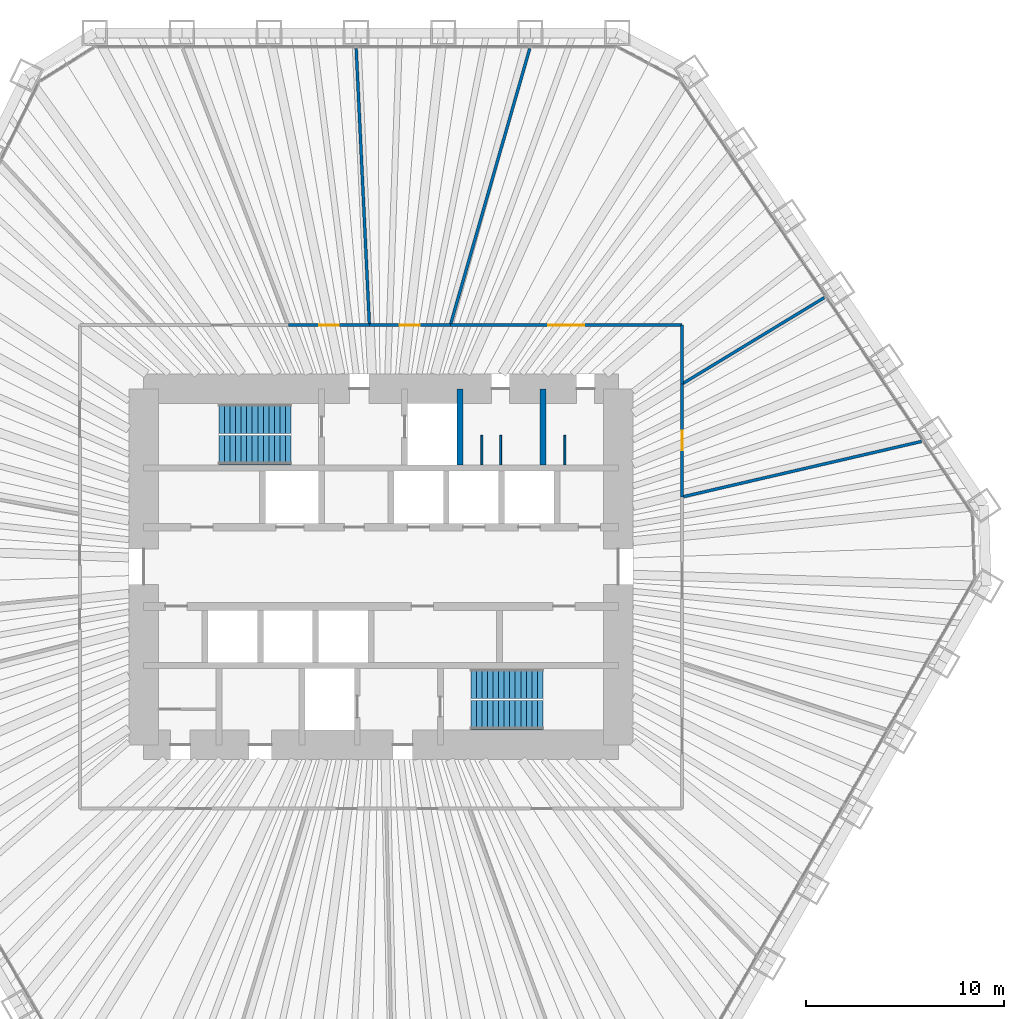
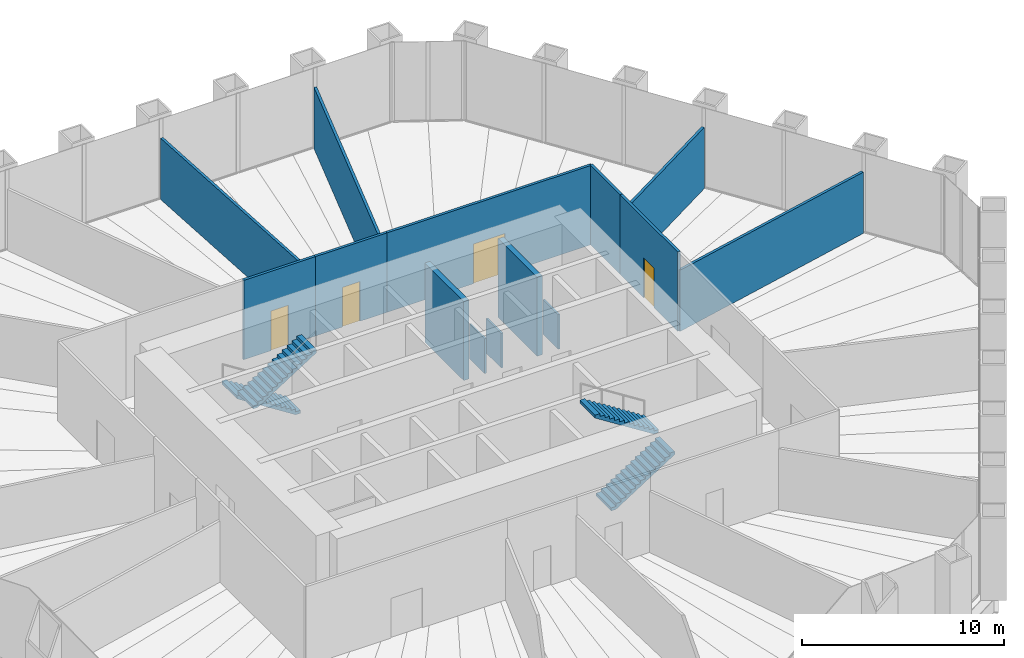
# One storey, part 12 of 13: 14 walls, 4 doors, 4 stair flights, 4 openings, 2 elements without a shape of their own.
"""IFC4 building model written with IfcOpenShell, lengths in metres."""

from ifc_helpers import new_model, si_unit, direction, frame, frame_2d, origin, place, context, subcontext, project, spatial, polyline, rectangle, outline, extrude, material, layer, layer_set, type_object, element, fill, aggregate, save


model = new_model("IFC4")

# Units and contexts
model_context = context("Model", 3, precision=1e-05, world=origin(), true_north=direction((0.0, 1.0)))
body_context = subcontext(model_context, "Body", "Model", "MODEL_VIEW")
ifc_project = project(units=[si_unit("LENGTHUNIT", "METRE"), si_unit("AREAUNIT", "SQUARE_METRE"), si_unit("VOLUMEUNIT", "CUBIC_METRE"), si_unit("PLANEANGLEUNIT", "RADIAN"), si_unit("MASSUNIT", "GRAM", prefix="KILO")], contexts=[model_context])

# Site, building, storey
site_placement = place(None, origin())
site = spatial("IfcSite", under=ifc_project, at=site_placement, CompositionType="ELEMENT")
building_placement = place(site_placement, origin())
building = spatial("IfcBuilding", under=site, at=building_placement, Name="Qingtian Harvest Tower", CompositionType="ELEMENT")
storey_placement = place(building_placement, frame((0.0, 0.0, 32.0)))
storey = spatial("IfcBuildingStorey", under=building, at=storey_placement, Name="L06", CompositionType="ELEMENT", Elevation=32.0)

# Walls
ifc_material_1 = material(Name="Precast concrete shaft panel", Category="concrete")
ifc_layer_1 = layer(ifc_material_1, 0.300048828125)
ifc_layer_set_1 = layer_set([ifc_layer_1], Name="Core shaft partition SW1 300")
wall_type_1 = type_object("IfcWallType", Name="Core shaft partition SW1 300", PredefinedType="PARTITIONING", material=ifc_layer_set_1)
for number, where, z_axis, x_axis, name in (
    (1, (4.0, 5.14990234375, 0.0), (0.0, 0.0, 1.0), (0.0, 1.0, 0.0), "Core shaft partition XN3 L06"),
    (2, (8.199951171875, 5.14990234375, 0.0), (0.0, 0.0, 1.0), (0.0, 1.0, 0.0), "Core shaft partition XN4 L06"),
):
    element("IfcWall", number, at=place(storey_placement, frame(where, z_axis=z_axis, x_axis=x_axis)), inside=storey, type_object=wall_type_1, Name=name, PredefinedType="PARTITIONING", context=body_context, shape_type="SweptSolid", body=[
        extrude(rectangle(XDim=3.85009765625, YDim=0.300048828125, at=frame_2d((1.925048828125, 0.0))), origin(), (0.0, 0.0, 1.0), 4.780029296875),
    ])
ifc_material_2 = material(Name="Gypsum board on steel studs", Category="steel")
ifc_layer_2 = layer(ifc_material_2, 0.14990234375)
ifc_layer_set_2 = layer_set([ifc_layer_2], Name="Partition PT1 150")
wall_type_2 = type_object("IfcWallType", Name="Partition PT1 150", PredefinedType="PARTITIONING", material=ifc_layer_set_2)
wall_1_placement = place(storey_placement, frame((7.52392578125, 26.203857421875, 0.0), z_axis=(0.0, 0.0, 1.0), x_axis=(-0.275975790041, -0.961164587004, 0.0)))
element("IfcWall", 3, at=wall_1_placement, inside=storey, type_object=wall_type_2, Name="Seedling nursery wall L06", PredefinedType="PARTITIONING", context=body_context, shape_type="SweptSolid", body=[
    extrude(rectangle(XDim=14.54345703125, YDim=0.14990234375, at=frame_2d((7.271728515625, 0.0))), origin(), (0.0, 0.0, 1.0), 3.699951171875),
])

# Wall, opening, door
wall_2_placement = place(storey_placement, frame((3.51025390625, 12.22509765625, 0.0), z_axis=(0.0, 0.0, 1.0), x_axis=(1.0, 0.0, 0.0)))
wall_2 = element("IfcWall", 4, at=wall_2_placement, inside=storey, type_object=wall_type_2, Name="Seedling nursery wall L06", PredefinedType="PARTITIONING", context=body_context, shape_type="SweptSolid", body=[
    extrude(rectangle(XDim=11.71484375, YDim=0.14990234375, at=frame_2d((5.857421875, 0.0))), origin(), (0.0, 0.0, 1.0), 4.800048828125),
])
opening_1_placement = place(wall_2_placement, frame((4.95751953125, 0.0, 0.0)))
opening_1 = element("IfcOpeningElement", 5, at=opening_1_placement, cuts=wall_2, Name="Opening D3", PredefinedType="OPENING", context=body_context, shape_type="SweptSolid", body=[
    extrude(rectangle(XDim=1.800048828125, YDim=2.39990234375, at=frame_2d((0.89990234375, 1.199951171875))), frame((0.0, 0.0849609375, 0.0), z_axis=(0.0, -1.0, 0.0), x_axis=(1.0, 0.0, 0.0)), (0.0, 0.0, 1.0), 0.169921875),
])
ifc_material_3 = material(Name="Laminated timber door leaf", Category="wood")
door_type_1 = type_object("IfcDoorType", Name="Room door D3 double", OperationType="DOUBLE_DOOR_DOUBLE_SWING", PredefinedType="DOOR", material=ifc_material_3)
door_1_placement = place(opening_1_placement, origin())
door_1 = element("IfcDoor", 6, at=door_1_placement, inside=storey, type_object=door_type_1, Name="Seedling nursery door L06", OperationType="DOUBLE_DOOR_DOUBLE_SWING", OverallHeight=2.39990234375, OverallWidth=1.800048828125, PredefinedType="DOOR", context=body_context, shape_type="SweptSolid", body=[
    extrude(rectangle(XDim=1.800048828125, YDim=2.39990234375, at=frame_2d((0.89990234375, 1.199951171875))), frame((0.0, 0.02490234375, 0.0), z_axis=(0.0, -1.0, 0.0), x_axis=(1.0, 0.0, 0.0)), (0.0, 0.0, 1.0), 0.050048828125),
])
fill(opening_1, door_1)

# Walls
wall_3_placement = place(storey_placement, frame((15.22509765625, 12.22509765625, 0.0), z_axis=(0.0, 0.0, 1.0), x_axis=(0.0, -1.0, 0.0)))
element("IfcWall", 7, at=wall_3_placement, inside=storey, type_object=wall_type_2, Name="Seedling nursery wall L06", PredefinedType="PARTITIONING", context=body_context, shape_type="SweptSolid", body=[
    extrude(rectangle(XDim=2.98193359375, YDim=0.14990234375, at=frame_2d((1.490966796875, 0.0))), origin(), (0.0, 0.0, 1.0), 4.800048828125),
])
wall_4_placement = place(storey_placement, frame((22.42138671875, 13.6123046875, 0.0), z_axis=(0.0, 0.0, 1.0), x_axis=(-0.854789353023, -0.518975107263, 0.0)))
element("IfcWall", 8, at=wall_4_placement, inside=storey, type_object=wall_type_2, Name="Germination room wall L06", PredefinedType="PARTITIONING", context=body_context, shape_type="SweptSolid", body=[
    extrude(rectangle(XDim=8.418701171875, YDim=0.14990234375, at=frame_2d((4.20947265625, 0.0))), origin(), (0.0, 0.0, 1.0), 3.699951171875),
])

# Wall, opening, door
wall_5_placement = place(storey_placement, frame((15.22509765625, 9.2431640625, 0.0), z_axis=(0.0, 0.0, 1.0), x_axis=(0.0, -1.0, 0.0)))
wall_5 = element("IfcWall", 9, at=wall_5_placement, inside=storey, type_object=wall_type_2, Name="Germination room wall L06", PredefinedType="PARTITIONING", context=body_context, shape_type="SweptSolid", body=[
    extrude(rectangle(XDim=5.712890625, YDim=0.14990234375, at=frame_2d((2.8564453125, 0.0))), origin(), (0.0, 0.0, 1.0), 4.800048828125),
])
opening_2_placement = place(wall_5_placement, frame((2.3564453125, 0.0, 0.0)))
opening_2 = element("IfcOpeningElement", 10, at=opening_2_placement, cuts=wall_5, Name="Opening D2", PredefinedType="OPENING", context=body_context, shape_type="SweptSolid", body=[
    extrude(rectangle(XDim=1.0, YDim=2.39990234375, at=frame_2d((0.5, 1.199951171875))), frame((0.0, 0.0849609375, 0.0), z_axis=(0.0, -1.0, 0.0), x_axis=(1.0, 0.0, 0.0)), (0.0, 0.0, 1.0), 0.169921875),
])
ifc_material_4 = material(Name="Laminated timber door leaf", Category="wood")
door_type_2 = type_object("IfcDoorType", Name="Room door D2 single", OperationType="SINGLE_SWING_LEFT", PredefinedType="DOOR", material=ifc_material_4)
door_2_placement = place(opening_2_placement, origin())
door_2 = element("IfcDoor", 11, at=door_2_placement, inside=storey, type_object=door_type_2, Name="Germination room door L06", OperationType="SINGLE_SWING_RIGHT", OverallHeight=2.39990234375, OverallWidth=1.0, PredefinedType="DOOR", context=body_context, shape_type="SweptSolid", body=[
    extrude(rectangle(XDim=1.0, YDim=2.39990234375, at=frame_2d((0.5, 1.199951171875))), frame((0.0, 0.02490234375, 0.0), z_axis=(0.0, -1.0, 0.0), x_axis=(1.0, 0.0, 0.0)), (0.0, 0.0, 1.0), 0.050048828125),
])
fill(opening_2, door_2)

# Wall
wall_6_placement = place(storey_placement, frame((27.335693359375, 6.33837890625, 0.0), z_axis=(0.0, 0.0, 1.0), x_axis=(-0.974155334075, -0.225879138243, 0.0)))
element("IfcWall", 12, at=wall_6_placement, inside=storey, type_object=wall_type_2, Name="Germination room wall L06", PredefinedType="PARTITIONING", context=body_context, shape_type="SweptSolid", body=[
    extrude(rectangle(XDim=12.431884765625, YDim=0.14990234375, at=frame_2d((6.2158203125, 0.0))), origin(), (0.0, 0.0, 1.0), 3.699951171875),
])

# Wall, opening, door
wall_7_placement = place(storey_placement, frame((-4.679443359375, 12.22509765625, 0.0), z_axis=(0.0, 0.0, 1.0), x_axis=(1.0, 0.0, 0.0)))
wall_7 = element("IfcWall", 13, at=wall_7_placement, inside=storey, type_object=wall_type_2, Name="Seed testing lab wall L06", PredefinedType="PARTITIONING", context=body_context, shape_type="SweptSolid", body=[
    extrude(rectangle(XDim=4.0947265625, YDim=0.14990234375, at=frame_2d((2.04736328125, 0.0))), origin(), (0.0, 0.0, 1.0), 4.800048828125),
])
opening_3_placement = place(wall_7_placement, frame((1.54736328125, 0.0, 0.0)))
opening_3 = element("IfcOpeningElement", 14, at=opening_3_placement, cuts=wall_7, Name="Opening D2", PredefinedType="OPENING", context=body_context, shape_type="SweptSolid", body=[
    extrude(rectangle(XDim=1.0, YDim=2.39990234375, at=frame_2d((0.5, 1.199951171875))), frame((0.0, 0.0849609375, 0.0), z_axis=(0.0, -1.0, 0.0), x_axis=(1.0, 0.0, 0.0)), (0.0, 0.0, 1.0), 0.169921875),
])
door_3_placement = place(opening_3_placement, origin())
door_3 = element("IfcDoor", 15, at=door_3_placement, inside=storey, type_object=door_type_2, Name="Seed testing lab door L06", OperationType="SINGLE_SWING_RIGHT", OverallHeight=2.39990234375, OverallWidth=1.0, PredefinedType="DOOR", context=body_context, shape_type="SweptSolid", body=[
    extrude(rectangle(XDim=1.0, YDim=2.39990234375, at=frame_2d((0.5, 1.199951171875))), frame((0.0, 0.02490234375, 0.0), z_axis=(0.0, -1.0, 0.0), x_axis=(1.0, 0.0, 0.0)), (0.0, 0.0, 1.0), 0.050048828125),
])
fill(opening_3, door_3)

# Wall
wall_8_placement = place(storey_placement, frame((-1.2529296875, 26.2001953125, 0.0), z_axis=(0.0, 0.0, 1.0), x_axis=(0.047759977782, -0.998858841139, 0.0)))
element("IfcWall", 16, at=wall_8_placement, inside=storey, type_object=wall_type_2, Name="Tray washing room wall L06", PredefinedType="PARTITIONING", context=body_context, shape_type="SweptSolid", body=[
    extrude(rectangle(XDim=13.990966796875, YDim=0.14990234375, at=frame_2d((6.99560546875, 0.0))), origin(), (0.0, 0.0, 1.0), 3.699951171875),
])

# Wall, opening, door
wall_9_placement = place(storey_placement, frame((-0.584716796875, 12.22509765625, 0.0), z_axis=(0.0, 0.0, 1.0), x_axis=(1.0, 0.0, 0.0)))
wall_9 = element("IfcWall", 17, at=wall_9_placement, inside=storey, type_object=wall_type_2, Name="Tray washing room wall L06", PredefinedType="PARTITIONING", context=body_context, shape_type="SweptSolid", body=[
    extrude(rectangle(XDim=4.094970703125, YDim=0.14990234375, at=frame_2d((2.04736328125, 0.0))), origin(), (0.0, 0.0, 1.0), 4.800048828125),
])
opening_4_placement = place(wall_9_placement, frame((1.54736328125, 0.0, 0.0)))
opening_4 = element("IfcOpeningElement", 18, at=opening_4_placement, cuts=wall_9, Name="Opening D2", PredefinedType="OPENING", context=body_context, shape_type="SweptSolid", body=[
    extrude(rectangle(XDim=1.0, YDim=2.39990234375, at=frame_2d((0.5, 1.199951171875))), frame((0.0, 0.0849609375, 0.0), z_axis=(0.0, -1.0, 0.0), x_axis=(1.0, 0.0, 0.0)), (0.0, 0.0, 1.0), 0.169921875),
])
door_4_placement = place(opening_4_placement, origin())
door_4 = element("IfcDoor", 19, at=door_4_placement, inside=storey, type_object=door_type_2, Name="Tray washing room door L06", OperationType="SINGLE_SWING_RIGHT", OverallHeight=2.39990234375, OverallWidth=1.0, PredefinedType="DOOR", context=body_context, shape_type="SweptSolid", body=[
    extrude(rectangle(XDim=1.0, YDim=2.39990234375, at=frame_2d((0.5, 1.199951171875))), frame((0.0, 0.02490234375, 0.0), z_axis=(0.0, -1.0, 0.0), x_axis=(1.0, 0.0, 0.0)), (0.0, 0.0, 1.0), 0.050048828125),
])
fill(opening_4, door_4)

# Walls
ifc_material_5 = material(Name="Compact laminate cubicle partition", Category="plastic")
ifc_layer_3 = layer(ifc_material_5, 0.10009765625)
ifc_layer_set_3 = layer_set([ifc_layer_3], Name="WC cubicle partition WP1 100")
wall_type_3 = type_object("IfcWallType", Name="WC cubicle partition WP1 100", PredefinedType="PARTITIONING", material=ifc_layer_set_3)
for number, where, z_axis, x_axis, name in (
    (20, (5.10009765625, 5.14990234375, 0.0), (0.0, 0.0, 1.0), (0.0, 1.0, 0.0), "WC cubicle partition WCM L06"),
    (21, (6.050048828125, 5.14990234375, 0.0), (0.0, 0.0, 1.0), (0.0, 1.0, 0.0), "WC cubicle partition WCM L06"),
    (22, (9.300048828125, 5.14990234375, 0.0), (0.0, 0.0, 1.0), (0.0, 1.0, 0.0), "WC cubicle partition WCF L06"),
):
    element("IfcWall", number, at=place(storey_placement, frame(where, z_axis=z_axis, x_axis=x_axis)), inside=storey, type_object=wall_type_3, Name=name, PredefinedType="PARTITIONING", context=body_context, shape_type="SweptSolid", body=[
        extrude(rectangle(XDim=1.5, YDim=0.10009765625, at=frame_2d((0.75, 0.0))), origin(), (0.0, 0.0, 1.0), 2.10009765625),
    ])

# Stair, stair flights
ifc_material_6 = material(Name="Concrete fc' 35 MPa", Category="concrete")
stair_type = type_object("IfcStairType", Name="Special stair ST2 5000", PredefinedType="HALF_TURN_STAIR", material=ifc_material_6)
stair_1_placement = place(storey_placement, origin())
stair_1 = element("IfcStair", 23, at=stair_1_placement, inside=storey, type_object=stair_type, Name="Special stair S1 L06", PredefinedType="HALF_TURN_STAIR")
ifc_material_7 = material(Name="Concrete fc' 35 MPa", Category="concrete")
stair_flight_type = type_object("IfcStairFlightType", Name="Stair flight SF2 5000", PredefinedType="STRAIGHT", material=ifc_material_7)
stair_flight_1_placement = place(storey_placement, frame((-4.550048828125, 7.5, 0.0), z_axis=(0.0, 0.0, 1.0), x_axis=(-1.0, 0.0, 0.0)))
stair_flight_1 = element("IfcStairFlight", 24, at=stair_flight_1_placement, type_object=stair_flight_type, Name="S1 flight 1", NumberOfRisers=14, NumberOfTreads=13, PredefinedType="STRAIGHT", RiserHeight=0.178571429, TreadLength=0.28, context=body_context, shape_type="SweptSolid", body=[
    extrude(outline(polyline([(0.0, 0.0), (0.0, 0.178466796875), (0.280029296875, 0.178466796875), (0.280029296875, 0.357177734375), (0.56005859375, 0.357177734375), (0.56005859375, 0.53564453125), (0.840087890625, 0.53564453125), (0.840087890625, 0.71435546875), (1.1201171875, 0.71435546875), (1.1201171875, 0.892822265625), (1.39990234375, 0.892822265625), (1.39990234375, 1.071533203125), (1.679931640625, 1.071533203125), (1.679931640625, 1.25), (1.9599609375, 1.25), (1.9599609375, 1.428466796875), (2.239990234375, 1.428466796875), (2.239990234375, 1.607177734375), (2.52001953125, 1.607177734375), (2.52001953125, 1.78564453125), (2.800048828125, 1.78564453125), (2.800048828125, 1.96435546875), (3.080078125, 1.96435546875), (3.080078125, 2.142822265625), (3.360107421875, 2.142822265625), (3.360107421875, 2.321533203125), (3.639892578125, 2.321533203125), (3.639892578125, 2.5), (3.639892578125, 2.1435546875), (0.27880859375, 0.0), (0.0, 0.0)])), frame((0.0, 0.75, 0.0), z_axis=(0.0, -1.0, 0.0), x_axis=(1.0, 0.0, 0.0)), (0.0, 0.0, 1.0), 1.5),
])
stair_flight_2_placement = place(storey_placement, frame((-8.18994140625, 5.89990234375, 2.5), z_axis=(0.0, 0.0, 1.0), x_axis=(1.0, 0.0, 0.0)))
stair_flight_2 = element("IfcStairFlight", 25, at=stair_flight_2_placement, type_object=stair_flight_type, Name="S1 flight 2", NumberOfRisers=14, NumberOfTreads=13, PredefinedType="STRAIGHT", RiserHeight=0.178571429, TreadLength=0.28, context=body_context, shape_type="SweptSolid", body=[
    extrude(outline(polyline([(0.0, 0.0), (0.0, 0.178466796875), (0.280029296875, 0.178466796875), (0.280029296875, 0.357177734375), (0.56005859375, 0.357177734375), (0.56005859375, 0.53564453125), (0.840087890625, 0.53564453125), (0.840087890625, 0.71435546875), (1.1201171875, 0.71435546875), (1.1201171875, 0.892822265625), (1.39990234375, 0.892822265625), (1.39990234375, 1.071533203125), (1.679931640625, 1.071533203125), (1.679931640625, 1.25), (1.9599609375, 1.25), (1.9599609375, 1.428466796875), (2.239990234375, 1.428466796875), (2.239990234375, 1.607177734375), (2.52001953125, 1.607177734375), (2.52001953125, 1.78564453125), (2.800048828125, 1.78564453125), (2.800048828125, 1.96435546875), (3.080078125, 1.96435546875), (3.080078125, 2.142822265625), (3.360107421875, 2.142822265625), (3.360107421875, 2.321533203125), (3.639892578125, 2.321533203125), (3.639892578125, 2.5), (3.639892578125, 2.1435546875), (0.27880859375, 0.0), (0.0, 0.0)])), frame((0.0, 0.75, 0.0), z_axis=(0.0, -1.0, 0.0), x_axis=(1.0, 0.0, 0.0)), (0.0, 0.0, 1.0), 1.5),
])
aggregate(stair_1, [stair_flight_1, stair_flight_2])

stair_2_placement = place(storey_placement, origin())
stair_2 = element("IfcStair", 26, at=stair_2_placement, inside=storey, type_object=stair_type, Name="Special stair S2 L06", PredefinedType="HALF_TURN_STAIR")
stair_flight_3_placement = place(storey_placement, frame((4.550048828125, -7.5, 0.0), z_axis=(0.0, 0.0, 1.0), x_axis=(1.0, 0.0, 0.0)))
stair_flight_3 = element("IfcStairFlight", 27, at=stair_flight_3_placement, type_object=stair_flight_type, Name="S2 flight 1", NumberOfRisers=14, NumberOfTreads=13, PredefinedType="STRAIGHT", RiserHeight=0.178571429, TreadLength=0.28, context=body_context, shape_type="SweptSolid", body=[
    extrude(outline(polyline([(0.0, 0.0), (0.0, 0.178466796875), (0.280029296875, 0.178466796875), (0.280029296875, 0.357177734375), (0.56005859375, 0.357177734375), (0.56005859375, 0.53564453125), (0.840087890625, 0.53564453125), (0.840087890625, 0.71435546875), (1.1201171875, 0.71435546875), (1.1201171875, 0.892822265625), (1.39990234375, 0.892822265625), (1.39990234375, 1.071533203125), (1.679931640625, 1.071533203125), (1.679931640625, 1.25), (1.9599609375, 1.25), (1.9599609375, 1.428466796875), (2.239990234375, 1.428466796875), (2.239990234375, 1.607177734375), (2.52001953125, 1.607177734375), (2.52001953125, 1.78564453125), (2.800048828125, 1.78564453125), (2.800048828125, 1.96435546875), (3.080078125, 1.96435546875), (3.080078125, 2.142822265625), (3.360107421875, 2.142822265625), (3.360107421875, 2.321533203125), (3.639892578125, 2.321533203125), (3.639892578125, 2.5), (3.639892578125, 2.1435546875), (0.27880859375, 0.0), (0.0, 0.0)])), frame((0.0, 0.75, 0.0), z_axis=(0.0, -1.0, 0.0), x_axis=(1.0, 0.0, 0.0)), (0.0, 0.0, 1.0), 1.5),
])
stair_flight_4_placement = place(storey_placement, frame((8.18994140625, -5.89990234375, 2.5), z_axis=(0.0, 0.0, 1.0), x_axis=(-1.0, 0.0, 0.0)))
stair_flight_4 = element("IfcStairFlight", 28, at=stair_flight_4_placement, type_object=stair_flight_type, Name="S2 flight 2", NumberOfRisers=14, NumberOfTreads=13, PredefinedType="STRAIGHT", RiserHeight=0.178571429, TreadLength=0.28, context=body_context, shape_type="SweptSolid", body=[
    extrude(outline(polyline([(0.0, 0.0), (0.0, 0.178466796875), (0.280029296875, 0.178466796875), (0.280029296875, 0.357177734375), (0.56005859375, 0.357177734375), (0.56005859375, 0.53564453125), (0.840087890625, 0.53564453125), (0.840087890625, 0.71435546875), (1.1201171875, 0.71435546875), (1.1201171875, 0.892822265625), (1.39990234375, 0.892822265625), (1.39990234375, 1.071533203125), (1.679931640625, 1.071533203125), (1.679931640625, 1.25), (1.9599609375, 1.25), (1.9599609375, 1.428466796875), (2.239990234375, 1.428466796875), (2.239990234375, 1.607177734375), (2.52001953125, 1.607177734375), (2.52001953125, 1.78564453125), (2.800048828125, 1.78564453125), (2.800048828125, 1.96435546875), (3.080078125, 1.96435546875), (3.080078125, 2.142822265625), (3.360107421875, 2.142822265625), (3.360107421875, 2.321533203125), (3.639892578125, 2.321533203125), (3.639892578125, 2.5), (3.639892578125, 2.1435546875), (0.27880859375, 0.0), (0.0, 0.0)])), frame((0.0, 0.75, 0.0), z_axis=(0.0, -1.0, 0.0), x_axis=(1.0, 0.0, 0.0)), (0.0, 0.0, 1.0), 1.5),
])
aggregate(stair_2, [stair_flight_3, stair_flight_4])

save(model, "model.ifc")
